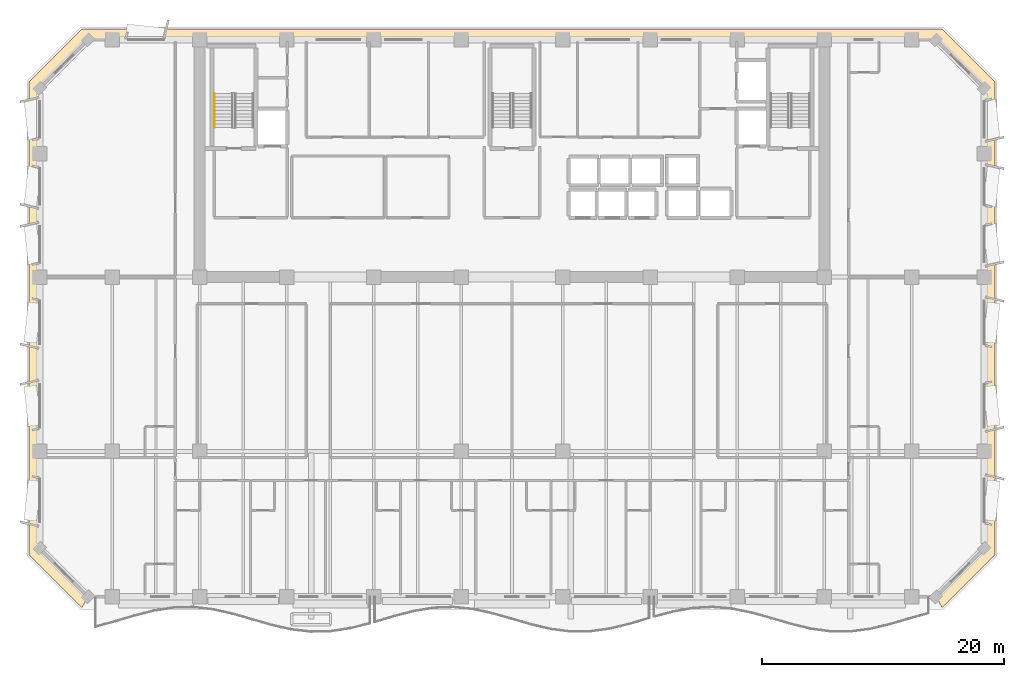
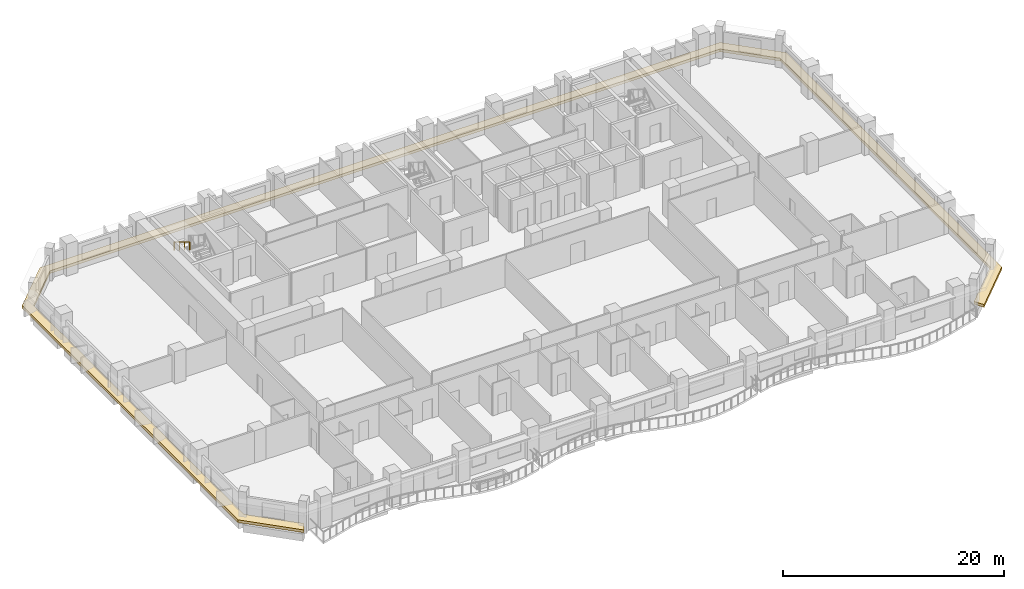
# One storey, part 12 of 15: 1 covering, 1 railing.
"""IFC4 building model written with IfcOpenShell, lengths in metres."""

from ifc_helpers import new_model, si_unit, direction, frame, origin, origin_2d, place, context, subcontext, project, spatial, polyline, rectangle, outline, extrude, material, layer, layer_set, type_object, element, save


model = new_model("IFC4")

# Units and contexts
model_context = context("Model", 3, precision=1e-05, world=origin(), true_north=direction((0.0, 1.0)))
body_context = subcontext(model_context, "Body", "Model", "MODEL_VIEW")
ifc_project = project(units=[si_unit("LENGTHUNIT", "METRE"), si_unit("AREAUNIT", "SQUARE_METRE"), si_unit("VOLUMEUNIT", "CUBIC_METRE"), si_unit("PLANEANGLEUNIT", "RADIAN"), si_unit("MASSUNIT", "GRAM", prefix="KILO")], contexts=[model_context])

# Site, building, storey
site_placement = place(None, origin())
site = spatial("IfcSite", under=ifc_project, at=site_placement, CompositionType="ELEMENT")
building_placement = place(site_placement, origin())
building = spatial("IfcBuilding", under=site, at=building_placement, Name="Kaelvorn Grand Hotel", CompositionType="ELEMENT")
storey_placement = place(building_placement, frame((0.0, 0.0, 154.35009765625)))
storey = spatial("IfcBuildingStorey", under=building, at=storey_placement, Name="L37", CompositionType="ELEMENT", Elevation=154.35009765625)

# Covering
ifc_material_1 = material(Name="Precast concrete C45/55", Category="concrete")
ifc_layer = layer(ifc_material_1, 0.219970703125)
ifc_layer_set = layer_set([ifc_layer], Name="Precast concrete C45/55")
covering_type = type_object("IfcCoveringType", Name="COV-BAND-STREAMLINE-SILL", PredefinedType="CLADDING", material=ifc_layer_set)
covering_placement = place(storey_placement, frame((0.0, 0.0, 0.449951171875)))
element("IfcCovering", 1, at=covering_placement, inside=storey, type_object=covering_type, Name="L37 Streamline Moderne Wraparound Horizontal Sill Spandrel Band", PredefinedType="CLADDING", context=body_context, shape_type="SweptSolid", body=[
    extrude(outline(polyline([(77.515380859375, 2.1201171875), (81.8798828125, 6.484619140625), (81.8798828125, 45.515380859375), (77.515380859375, 49.8798828125), (6.484619140625, 49.8798828125), (2.1201171875, 45.515380859375), (2.1201171875, 6.484619140625), (6.484619140625, 2.1201171875), (7.017578125, 3.030029296875), (3.030029296875, 7.017578125), (3.030029296875, 44.982421875), (7.017578125, 48.969970703125), (76.982421875, 48.969970703125), (80.969970703125, 44.982421875), (80.969970703125, 7.017578125), (76.982421875, 3.030029296875), (77.515380859375, 2.1201171875)])), origin(), (0.0, 0.0, 1.0), 0.300048828125),
])

# Railing
ifc_material_2 = material(Name="Stainless Steel", Category="steel")
railing_type = type_object("IfcRailingType", Name="RL-HANDRAIL-900", PredefinedType="HANDRAIL", material=ifc_material_2)
railing_placement = place(storey_placement, frame((17.449951171875, 44.56005859375, 2.072509765625)))
element("IfcRailing", 2, at=railing_placement, inside=storey, type_object=railing_type, Name="L37 ST1 stair handrail 2", PredefinedType="HANDRAIL", context=body_context, shape_type="SweptSolid", body=[
    extrude(rectangle(XDim=0.048095703125, YDim=0.048095703125, at=origin_2d()), frame((0.0, 0.0, 0.8759765625), z_axis=(0.0, -0.851089632645, 0.525020415988), x_axis=(1.0, 0.0, 0.0)), (0.0, 0.0, 1.0), 3.2900390625),
    extrude(rectangle(XDim=0.0419921875, YDim=0.0419921875, at=origin_2d()), origin(), (0.0, 0.0, 1.0), 0.851806640625),
    extrude(rectangle(XDim=0.0419921875, YDim=0.0419921875, at=origin_2d()), frame((0.0, -0.933349609375, 0.57568359375)), (0.0, 0.0, 1.0), 0.851806640625),
    extrude(rectangle(XDim=0.0419921875, YDim=0.0419921875, at=origin_2d()), frame((0.0, -1.86669921875, 1.151611328125)), (0.0, 0.0, 1.0), 0.851806640625),
    extrude(rectangle(XDim=0.0419921875, YDim=0.0419921875, at=origin_2d()), frame((0.0, -2.800048828125, 1.727294921875)), (0.0, 0.0, 1.0), 0.851806640625),
])

save(model, "model.ifc")
